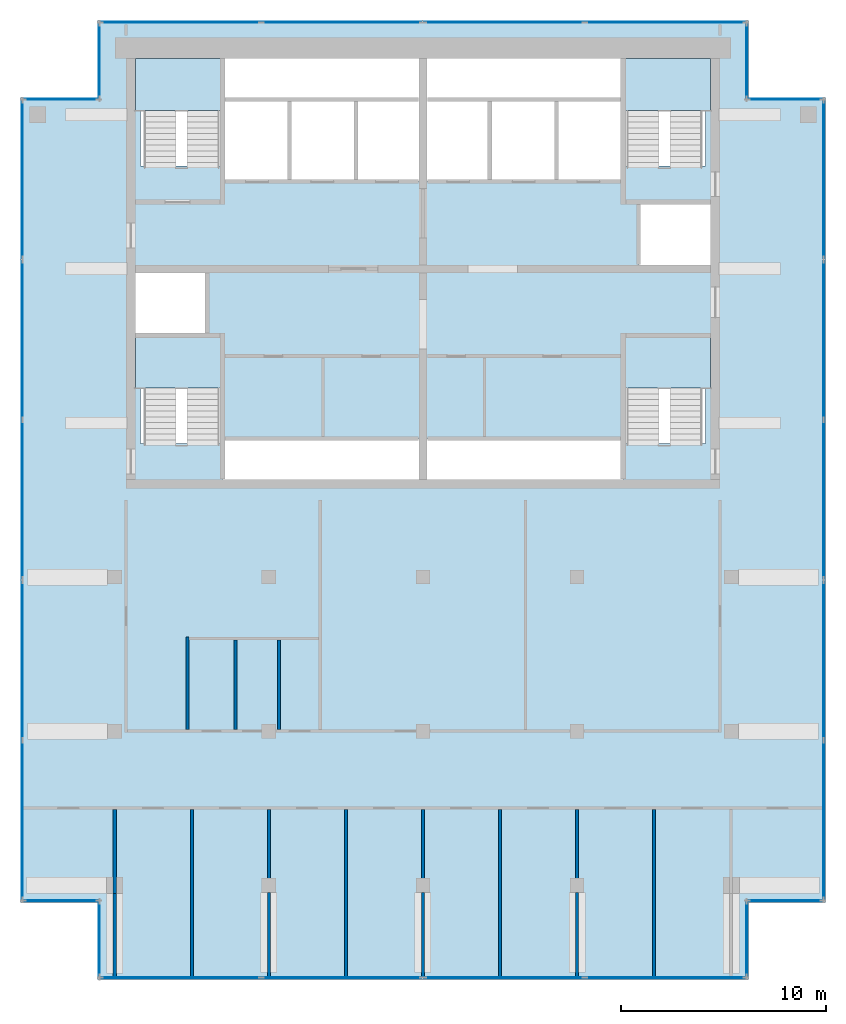
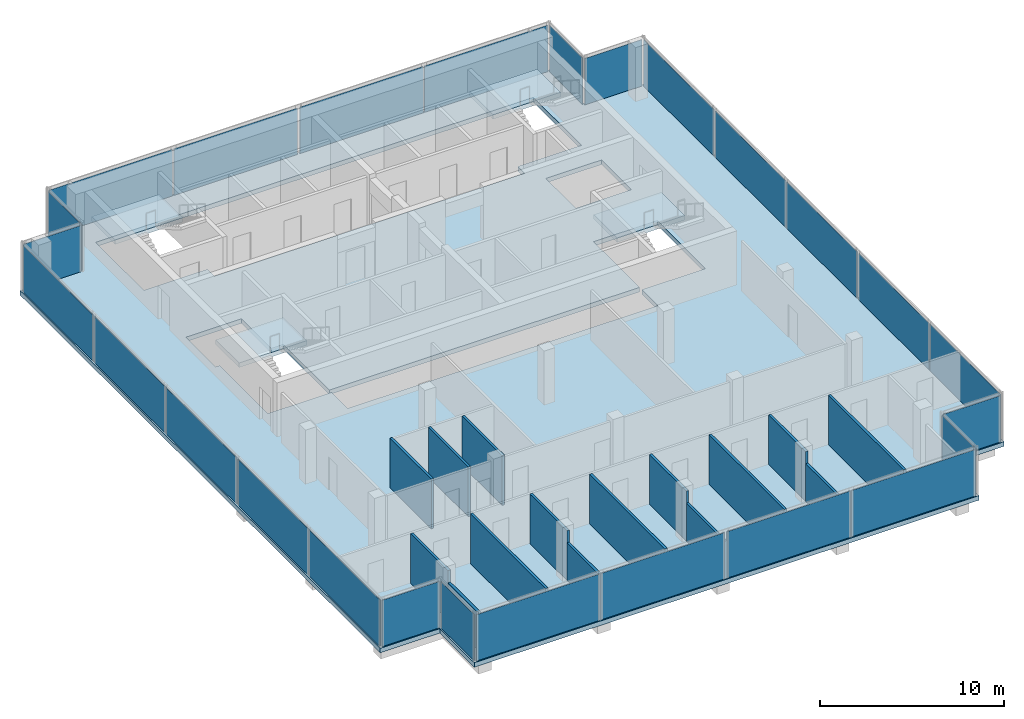
# One storey, part 4 of 8: 26 plates, 15 walls, 5 slabs, 22 elements without a shape of their own.
"""IFC4 building model written with IfcOpenShell, lengths in metres."""

from ifc_helpers import new_model, si_unit, direction, frame, frame_2d, origin, origin_2d, place, context, subcontext, project, spatial, polyline, rectangle, outline, extrude, material, layer, layer_set, type_object, element, aggregate, save


model = new_model("IFC4")

# Units and contexts
model_context = context("Model", 3, precision=1e-05, world=origin(), true_north=direction((0.0, 1.0)))
body_context = subcontext(model_context, "Body", "Model", "MODEL_VIEW")
ifc_project = project(units=[si_unit("LENGTHUNIT", "METRE"), si_unit("AREAUNIT", "SQUARE_METRE"), si_unit("VOLUMEUNIT", "CUBIC_METRE"), si_unit("PLANEANGLEUNIT", "RADIAN"), si_unit("MASSUNIT", "GRAM", prefix="KILO")], contexts=[model_context])

# Site, building, storey
site_placement = place(None, origin())
site = spatial("IfcSite", under=ifc_project, at=site_placement, CompositionType="ELEMENT")
building_placement = place(site_placement, origin())
building = spatial("IfcBuilding", under=site, at=building_placement, Name="Pilkhan Gate Tower", CompositionType="ELEMENT")
storey_placement = place(building_placement, frame((0.0, 0.0, 269.300048828125)))
storey = spatial("IfcBuildingStorey", under=building, at=storey_placement, Name="L70", CompositionType="ELEMENT", Elevation=269.300048828125)

# Slab
ifc_material_1 = material(Name="Concrete C40/50", Category="concrete")
ifc_layer_1 = layer(ifc_material_1, 0.300048828125)
ifc_layer_set_1 = layer_set([ifc_layer_1], Name="Flat plate slab FP300")
slab_type_1 = type_object("IfcSlabType", Name="Flat plate slab FP300", PredefinedType="FLOOR", material=ifc_layer_set_1)
slab_1_placement = place(storey_placement, frame((0.0, 0.0, -0.300048828125)))
element("IfcSlab", 1, at=slab_1_placement, inside=storey, type_object=slab_type_1, Name="Floor slab L70", PredefinedType="FLOOR", context=body_context, shape_type="SweptSolid", body=[
    extrude(outline(polyline([(90.85009765625, 47.89990234375), (59.14990234375, 47.89990234375), (59.14990234375, 51.64990234375), (55.39990234375, 51.64990234375), (55.39990234375, 90.85009765625), (59.14990234375, 90.85009765625), (59.14990234375, 94.60009765625), (90.85009765625, 94.60009765625), (90.85009765625, 90.85009765625), (94.60009765625, 90.85009765625), (94.60009765625, 51.64990234375), (90.85009765625, 51.64990234375), (90.85009765625, 47.89990234375)]), holes=[polyline([(68.5, 86.75), (71.75, 86.75), (75.0, 86.75), (78.25, 86.75), (81.5, 86.75), (84.75, 86.75), (84.75, 87.5), (88.75, 87.5), (88.75, 92.75), (84.75, 92.75), (75.0, 92.75), (65.25, 92.75), (61.25, 92.75), (61.25, 87.5), (65.25, 87.5), (65.25, 86.75), (68.5, 86.75)]), polyline([(84.75, 74.25), (75.0, 74.25), (65.25, 74.25), (65.25, 79.25), (64.5, 79.25), (64.5, 82.5), (61.25, 82.5), (61.0, 82.5), (61.0, 79.25), (61.25, 79.25), (61.25, 74.0), (65.25, 74.0), (65.25, 72.25), (75.0, 72.25), (84.75, 72.25), (84.75, 74.0), (88.75, 74.0), (88.75, 79.25), (84.75, 79.25), (84.75, 74.25)]), polyline([(85.5, 85.75), (85.5, 82.5), (88.75, 82.5), (89.0, 82.5), (89.0, 85.75), (88.75, 85.75), (85.5, 85.75)])]), origin(), (0.0, 0.0, 1.0), 0.300048828125),
])

# Curtain wall, plates
ifc_material_2 = material(Name="Pale anodised aluminium, clear low-iron double glazing", Category="aluminium")
curtain_wall_type = type_object("IfcCurtainWallType", Name="Crown unitised curtain wall CW-C", PredefinedType="USERDEFINED", material=ifc_material_2)
curtain_wall_1_placement = place(storey_placement, origin())
curtain_wall_1 = element("IfcCurtainWall", 2, at=curtain_wall_1_placement, inside=storey, type_object=curtain_wall_type, Name="Crown unitised curtain wall CW-C L70 E", ObjectType="UNITISED CURTAIN WALL", PredefinedType="USERDEFINED")
ifc_material_3 = material(Name="Clear low-iron double glazing", Category="glass")
ifc_layer_2 = layer(ifc_material_3, 0.0439453125)
ifc_layer_set_2 = layer_set([ifc_layer_2], Name="Glass panel CW-C 44")
plate_type = type_object("IfcPlateType", Name="Glass panel CW-C 44", PredefinedType="CURTAIN_PANEL", material=ifc_layer_set_2)
plate_1_placement = place(storey_placement, frame((94.5, 55.668701171875, 0.0), z_axis=(0.0, 0.0, 1.0), x_axis=(0.0, 1.0, 0.0)))
plate_1 = element("IfcPlate", 3, at=plate_1_placement, type_object=plate_type, Name="CW-C panel 1", PredefinedType="CURTAIN_PANEL", context=body_context, shape_type="SweptSolid", body=[
    extrude(rectangle(XDim=7.6875, YDim=0.0439453125, at=origin_2d()), origin(), (0.0, 0.0, 1.0), 3.080078125),
])
plate_2_placement = place(storey_placement, frame((94.5, 63.43115234375, 0.0), z_axis=(0.0, 0.0, 1.0), x_axis=(0.0, 1.0, 0.0)))
plate_2 = element("IfcPlate", 4, at=plate_2_placement, type_object=plate_type, Name="CW-C panel 2", PredefinedType="CURTAIN_PANEL", context=body_context, shape_type="SweptSolid", body=[
    extrude(rectangle(XDim=7.6875, YDim=0.0439453125, at=origin_2d()), origin(), (0.0, 0.0, 1.0), 3.080078125),
])
aggregate(curtain_wall_1, [plate_1, plate_2])

curtain_wall_2_placement = place(storey_placement, origin())
curtain_wall_2 = element("IfcCurtainWall", 5, at=curtain_wall_2_placement, inside=storey, type_object=curtain_wall_type, Name="Crown unitised curtain wall CW-C L70 E", ObjectType="UNITISED CURTAIN WALL", PredefinedType="USERDEFINED")
plate_3_placement = place(storey_placement, frame((94.5, 71.268798828125, 0.0), z_axis=(0.0, 0.0, 1.0), x_axis=(0.0, 1.0, 0.0)))
plate_3 = element("IfcPlate", 6, at=plate_3_placement, type_object=plate_type, Name="CW-C panel 1", PredefinedType="CURTAIN_PANEL", context=body_context, shape_type="SweptSolid", body=[
    extrude(rectangle(XDim=7.6875, YDim=0.0439453125, at=origin_2d()), origin(), (0.0, 0.0, 1.0), 3.080078125),
])
plate_4_placement = place(storey_placement, frame((94.5, 79.03125, 0.0), z_axis=(0.0, 0.0, 1.0), x_axis=(0.0, 1.0, 0.0)))
plate_4 = element("IfcPlate", 7, at=plate_4_placement, type_object=plate_type, Name="CW-C panel 2", PredefinedType="CURTAIN_PANEL", context=body_context, shape_type="SweptSolid", body=[
    extrude(rectangle(XDim=7.6875, YDim=0.0439453125, at=origin_2d()), origin(), (0.0, 0.0, 1.0), 3.080078125),
])
aggregate(curtain_wall_2, [plate_3, plate_4])

# Curtain wall, plate
curtain_wall_3_placement = place(storey_placement, origin())
curtain_wall_3 = element("IfcCurtainWall", 8, at=curtain_wall_3_placement, inside=storey, type_object=curtain_wall_type, Name="Crown unitised curtain wall CW-C L70 E", ObjectType="UNITISED CURTAIN WALL", PredefinedType="USERDEFINED")
plate_5_placement = place(storey_placement, frame((94.5, 86.85009765625, 0.0), z_axis=(0.0, 0.0, 1.0), x_axis=(0.0, 1.0, 0.0)))
plate_5 = element("IfcPlate", 9, at=plate_5_placement, type_object=plate_type, Name="CW-C panel 1", PredefinedType="CURTAIN_PANEL", context=body_context, shape_type="SweptSolid", body=[
    extrude(rectangle(XDim=7.64990234375, YDim=0.0439453125, at=origin_2d()), origin(), (0.0, 0.0, 1.0), 3.080078125),
])
aggregate(curtain_wall_3, [plate_5])

curtain_wall_4_placement = place(storey_placement, origin())
curtain_wall_4 = element("IfcCurtainWall", 10, at=curtain_wall_4_placement, inside=storey, type_object=curtain_wall_type, Name="Crown unitised curtain wall CW-C L70 N", ObjectType="UNITISED CURTAIN WALL", PredefinedType="USERDEFINED")
plate_6_placement = place(storey_placement, frame((92.625, 90.75, 0.0), z_axis=(0.0, 0.0, 1.0), x_axis=(1.0, 0.0, 0.0)))
plate_6 = element("IfcPlate", 11, at=plate_6_placement, type_object=plate_type, Name="CW-C panel 1", PredefinedType="CURTAIN_PANEL", context=body_context, shape_type="SweptSolid", body=[
    extrude(rectangle(XDim=3.60009765625, YDim=0.0439453125, at=origin_2d()), origin(), (0.0, 0.0, 1.0), 3.080078125),
])
aggregate(curtain_wall_4, [plate_6])

curtain_wall_5_placement = place(storey_placement, origin())
curtain_wall_5 = element("IfcCurtainWall", 12, at=curtain_wall_5_placement, inside=storey, type_object=curtain_wall_type, Name="Crown unitised curtain wall CW-C L70 E", ObjectType="UNITISED CURTAIN WALL", PredefinedType="USERDEFINED")
plate_7_placement = place(storey_placement, frame((90.75, 92.625, 0.0), z_axis=(0.0, 0.0, 1.0), x_axis=(0.0, 1.0, 0.0)))
plate_7 = element("IfcPlate", 13, at=plate_7_placement, type_object=plate_type, Name="CW-C panel 1", PredefinedType="CURTAIN_PANEL", context=body_context, shape_type="SweptSolid", body=[
    extrude(rectangle(XDim=3.60009765625, YDim=0.0439453125, at=origin_2d()), origin(), (0.0, 0.0, 1.0), 3.080078125),
])
aggregate(curtain_wall_5, [plate_7])

# Curtain wall, plates
curtain_wall_6_placement = place(storey_placement, origin())
curtain_wall_6 = element("IfcCurtainWall", 14, at=curtain_wall_6_placement, inside=storey, type_object=curtain_wall_type, Name="Crown unitised curtain wall CW-C L70 N", ObjectType="UNITISED CURTAIN WALL", PredefinedType="USERDEFINED")
plate_8_placement = place(storey_placement, frame((63.206298828125, 94.5, 0.0), z_axis=(0.0, 0.0, 1.0), x_axis=(1.0, 0.0, 0.0)))
plate_8 = element("IfcPlate", 15, at=plate_8_placement, type_object=plate_type, Name="CW-C panel 1", PredefinedType="CURTAIN_PANEL", context=body_context, shape_type="SweptSolid", body=[
    extrude(rectangle(XDim=7.762451171875, YDim=0.0439453125, at=origin_2d()), origin(), (0.0, 0.0, 1.0), 3.080078125),
])
plate_9_placement = place(storey_placement, frame((71.043701171875, 94.5, 0.0), z_axis=(0.0, 0.0, 1.0), x_axis=(1.0, 0.0, 0.0)))
plate_9 = element("IfcPlate", 16, at=plate_9_placement, type_object=plate_type, Name="CW-C panel 2", PredefinedType="CURTAIN_PANEL", context=body_context, shape_type="SweptSolid", body=[
    extrude(rectangle(XDim=7.762451171875, YDim=0.0439453125, at=origin_2d()), origin(), (0.0, 0.0, 1.0), 3.080078125),
])
aggregate(curtain_wall_6, [plate_8, plate_9])

curtain_wall_7_placement = place(storey_placement, origin())
curtain_wall_7 = element("IfcCurtainWall", 17, at=curtain_wall_7_placement, inside=storey, type_object=curtain_wall_type, Name="Crown unitised curtain wall CW-C L70 N", ObjectType="UNITISED CURTAIN WALL", PredefinedType="USERDEFINED")
plate_10_placement = place(storey_placement, frame((78.956298828125, 94.5, 0.0), z_axis=(0.0, 0.0, 1.0), x_axis=(1.0, 0.0, 0.0)))
plate_10 = element("IfcPlate", 18, at=plate_10_placement, type_object=plate_type, Name="CW-C panel 1", PredefinedType="CURTAIN_PANEL", context=body_context, shape_type="SweptSolid", body=[
    extrude(rectangle(XDim=7.762451171875, YDim=0.0439453125, at=origin_2d()), origin(), (0.0, 0.0, 1.0), 3.080078125),
])
plate_11_placement = place(storey_placement, frame((86.793701171875, 94.5, 0.0), z_axis=(0.0, 0.0, 1.0), x_axis=(1.0, 0.0, 0.0)))
plate_11 = element("IfcPlate", 19, at=plate_11_placement, type_object=plate_type, Name="CW-C panel 2", PredefinedType="CURTAIN_PANEL", context=body_context, shape_type="SweptSolid", body=[
    extrude(rectangle(XDim=7.762451171875, YDim=0.0439453125, at=origin_2d()), origin(), (0.0, 0.0, 1.0), 3.080078125),
])
aggregate(curtain_wall_7, [plate_10, plate_11])

# Curtain wall, plate
curtain_wall_8_placement = place(storey_placement, origin())
curtain_wall_8 = element("IfcCurtainWall", 20, at=curtain_wall_8_placement, inside=storey, type_object=curtain_wall_type, Name="Crown unitised curtain wall CW-C L70 W", ObjectType="UNITISED CURTAIN WALL", PredefinedType="USERDEFINED")
plate_12_placement = place(storey_placement, frame((59.25, 92.625, 0.0), z_axis=(0.0, 0.0, 1.0), x_axis=(0.0, 1.0, 0.0)))
plate_12 = element("IfcPlate", 21, at=plate_12_placement, type_object=plate_type, Name="CW-C panel 1", PredefinedType="CURTAIN_PANEL", context=body_context, shape_type="SweptSolid", body=[
    extrude(rectangle(XDim=3.60009765625, YDim=0.0439453125, at=origin_2d()), origin(), (0.0, 0.0, 1.0), 3.080078125),
])
aggregate(curtain_wall_8, [plate_12])

curtain_wall_9_placement = place(storey_placement, origin())
curtain_wall_9 = element("IfcCurtainWall", 22, at=curtain_wall_9_placement, inside=storey, type_object=curtain_wall_type, Name="Crown unitised curtain wall CW-C L70 N", ObjectType="UNITISED CURTAIN WALL", PredefinedType="USERDEFINED")
plate_13_placement = place(storey_placement, frame((57.375, 90.75, 0.0), z_axis=(0.0, 0.0, 1.0), x_axis=(1.0, 0.0, 0.0)))
plate_13 = element("IfcPlate", 23, at=plate_13_placement, type_object=plate_type, Name="CW-C panel 1", PredefinedType="CURTAIN_PANEL", context=body_context, shape_type="SweptSolid", body=[
    extrude(rectangle(XDim=3.60009765625, YDim=0.0439453125, at=origin_2d()), origin(), (0.0, 0.0, 1.0), 3.080078125),
])
aggregate(curtain_wall_9, [plate_13])

# Curtain wall, plates
curtain_wall_10_placement = place(storey_placement, origin())
curtain_wall_10 = element("IfcCurtainWall", 24, at=curtain_wall_10_placement, inside=storey, type_object=curtain_wall_type, Name="Crown unitised curtain wall CW-C L70 W", ObjectType="UNITISED CURTAIN WALL", PredefinedType="USERDEFINED")
plate_14_placement = place(storey_placement, frame((55.5, 55.668701171875, 0.0), z_axis=(0.0, 0.0, 1.0), x_axis=(0.0, 1.0, 0.0)))
plate_14 = element("IfcPlate", 25, at=plate_14_placement, type_object=plate_type, Name="CW-C panel 1", PredefinedType="CURTAIN_PANEL", context=body_context, shape_type="SweptSolid", body=[
    extrude(rectangle(XDim=7.6875, YDim=0.0439453125, at=origin_2d()), origin(), (0.0, 0.0, 1.0), 3.080078125),
])
plate_15_placement = place(storey_placement, frame((55.5, 63.43115234375, 0.0), z_axis=(0.0, 0.0, 1.0), x_axis=(0.0, 1.0, 0.0)))
plate_15 = element("IfcPlate", 26, at=plate_15_placement, type_object=plate_type, Name="CW-C panel 2", PredefinedType="CURTAIN_PANEL", context=body_context, shape_type="SweptSolid", body=[
    extrude(rectangle(XDim=7.6875, YDim=0.0439453125, at=origin_2d()), origin(), (0.0, 0.0, 1.0), 3.080078125),
])
aggregate(curtain_wall_10, [plate_14, plate_15])

curtain_wall_11_placement = place(storey_placement, origin())
curtain_wall_11 = element("IfcCurtainWall", 27, at=curtain_wall_11_placement, inside=storey, type_object=curtain_wall_type, Name="Crown unitised curtain wall CW-C L70 W", ObjectType="UNITISED CURTAIN WALL", PredefinedType="USERDEFINED")
plate_16_placement = place(storey_placement, frame((55.5, 71.268798828125, 0.0), z_axis=(0.0, 0.0, 1.0), x_axis=(0.0, 1.0, 0.0)))
plate_16 = element("IfcPlate", 28, at=plate_16_placement, type_object=plate_type, Name="CW-C panel 1", PredefinedType="CURTAIN_PANEL", context=body_context, shape_type="SweptSolid", body=[
    extrude(rectangle(XDim=7.6875, YDim=0.0439453125, at=origin_2d()), origin(), (0.0, 0.0, 1.0), 3.080078125),
])
plate_17_placement = place(storey_placement, frame((55.5, 79.03125, 0.0), z_axis=(0.0, 0.0, 1.0), x_axis=(0.0, 1.0, 0.0)))
plate_17 = element("IfcPlate", 29, at=plate_17_placement, type_object=plate_type, Name="CW-C panel 2", PredefinedType="CURTAIN_PANEL", context=body_context, shape_type="SweptSolid", body=[
    extrude(rectangle(XDim=7.6875, YDim=0.0439453125, at=origin_2d()), origin(), (0.0, 0.0, 1.0), 3.080078125),
])
aggregate(curtain_wall_11, [plate_16, plate_17])

# Curtain wall, plate
curtain_wall_12_placement = place(storey_placement, origin())
curtain_wall_12 = element("IfcCurtainWall", 30, at=curtain_wall_12_placement, inside=storey, type_object=curtain_wall_type, Name="Crown unitised curtain wall CW-C L70 W", ObjectType="UNITISED CURTAIN WALL", PredefinedType="USERDEFINED")
plate_18_placement = place(storey_placement, frame((55.5, 86.85009765625, 0.0), z_axis=(0.0, 0.0, 1.0), x_axis=(0.0, 1.0, 0.0)))
plate_18 = element("IfcPlate", 31, at=plate_18_placement, type_object=plate_type, Name="CW-C panel 1", PredefinedType="CURTAIN_PANEL", context=body_context, shape_type="SweptSolid", body=[
    extrude(rectangle(XDim=7.64990234375, YDim=0.0439453125, at=origin_2d()), origin(), (0.0, 0.0, 1.0), 3.080078125),
])
aggregate(curtain_wall_12, [plate_18])

curtain_wall_13_placement = place(storey_placement, origin())
curtain_wall_13 = element("IfcCurtainWall", 32, at=curtain_wall_13_placement, inside=storey, type_object=curtain_wall_type, Name="Crown unitised curtain wall CW-C L70 S", ObjectType="UNITISED CURTAIN WALL", PredefinedType="USERDEFINED")
plate_19_placement = place(storey_placement, frame((57.375, 51.75, 0.0), z_axis=(0.0, 0.0, 1.0), x_axis=(1.0, 0.0, 0.0)))
plate_19 = element("IfcPlate", 33, at=plate_19_placement, type_object=plate_type, Name="CW-C panel 1", PredefinedType="CURTAIN_PANEL", context=body_context, shape_type="SweptSolid", body=[
    extrude(rectangle(XDim=3.60009765625, YDim=0.0439453125, at=origin_2d()), origin(), (0.0, 0.0, 1.0), 3.080078125),
])
aggregate(curtain_wall_13, [plate_19])

curtain_wall_14_placement = place(storey_placement, origin())
curtain_wall_14 = element("IfcCurtainWall", 34, at=curtain_wall_14_placement, inside=storey, type_object=curtain_wall_type, Name="Crown unitised curtain wall CW-C L70 W", ObjectType="UNITISED CURTAIN WALL", PredefinedType="USERDEFINED")
plate_20_placement = place(storey_placement, frame((59.25, 49.875, 0.0), z_axis=(0.0, 0.0, 1.0), x_axis=(0.0, 1.0, 0.0)))
plate_20 = element("IfcPlate", 35, at=plate_20_placement, type_object=plate_type, Name="CW-C panel 1", PredefinedType="CURTAIN_PANEL", context=body_context, shape_type="SweptSolid", body=[
    extrude(rectangle(XDim=3.60009765625, YDim=0.0439453125, at=origin_2d()), origin(), (0.0, 0.0, 1.0), 3.080078125),
])
aggregate(curtain_wall_14, [plate_20])

# Curtain wall, plates
curtain_wall_15_placement = place(storey_placement, origin())
curtain_wall_15 = element("IfcCurtainWall", 36, at=curtain_wall_15_placement, inside=storey, type_object=curtain_wall_type, Name="Crown unitised curtain wall CW-C L70 S", ObjectType="UNITISED CURTAIN WALL", PredefinedType="USERDEFINED")
plate_21_placement = place(storey_placement, frame((63.206298828125, 48.0, 0.0), z_axis=(0.0, 0.0, 1.0), x_axis=(1.0, 0.0, 0.0)))
plate_21 = element("IfcPlate", 37, at=plate_21_placement, type_object=plate_type, Name="CW-C panel 1", PredefinedType="CURTAIN_PANEL", context=body_context, shape_type="SweptSolid", body=[
    extrude(rectangle(XDim=7.762451171875, YDim=0.0439453125, at=origin_2d()), origin(), (0.0, 0.0, 1.0), 3.080078125),
])
plate_22_placement = place(storey_placement, frame((71.043701171875, 48.0, 0.0), z_axis=(0.0, 0.0, 1.0), x_axis=(1.0, 0.0, 0.0)))
plate_22 = element("IfcPlate", 38, at=plate_22_placement, type_object=plate_type, Name="CW-C panel 2", PredefinedType="CURTAIN_PANEL", context=body_context, shape_type="SweptSolid", body=[
    extrude(rectangle(XDim=7.762451171875, YDim=0.0439453125, at=origin_2d()), origin(), (0.0, 0.0, 1.0), 3.080078125),
])
aggregate(curtain_wall_15, [plate_21, plate_22])

curtain_wall_16_placement = place(storey_placement, origin())
curtain_wall_16 = element("IfcCurtainWall", 39, at=curtain_wall_16_placement, inside=storey, type_object=curtain_wall_type, Name="Crown unitised curtain wall CW-C L70 S", ObjectType="UNITISED CURTAIN WALL", PredefinedType="USERDEFINED")
plate_23_placement = place(storey_placement, frame((78.956298828125, 48.0, 0.0), z_axis=(0.0, 0.0, 1.0), x_axis=(1.0, 0.0, 0.0)))
plate_23 = element("IfcPlate", 40, at=plate_23_placement, type_object=plate_type, Name="CW-C panel 1", PredefinedType="CURTAIN_PANEL", context=body_context, shape_type="SweptSolid", body=[
    extrude(rectangle(XDim=7.762451171875, YDim=0.0439453125, at=origin_2d()), origin(), (0.0, 0.0, 1.0), 3.080078125),
])
plate_24_placement = place(storey_placement, frame((86.793701171875, 48.0, 0.0), z_axis=(0.0, 0.0, 1.0), x_axis=(1.0, 0.0, 0.0)))
plate_24 = element("IfcPlate", 41, at=plate_24_placement, type_object=plate_type, Name="CW-C panel 2", PredefinedType="CURTAIN_PANEL", context=body_context, shape_type="SweptSolid", body=[
    extrude(rectangle(XDim=7.762451171875, YDim=0.0439453125, at=origin_2d()), origin(), (0.0, 0.0, 1.0), 3.080078125),
])
aggregate(curtain_wall_16, [plate_23, plate_24])

# Curtain wall, plate
curtain_wall_17_placement = place(storey_placement, origin())
curtain_wall_17 = element("IfcCurtainWall", 42, at=curtain_wall_17_placement, inside=storey, type_object=curtain_wall_type, Name="Crown unitised curtain wall CW-C L70 E", ObjectType="UNITISED CURTAIN WALL", PredefinedType="USERDEFINED")
plate_25_placement = place(storey_placement, frame((90.75, 49.875, 0.0), z_axis=(0.0, 0.0, 1.0), x_axis=(0.0, 1.0, 0.0)))
plate_25 = element("IfcPlate", 43, at=plate_25_placement, type_object=plate_type, Name="CW-C panel 1", PredefinedType="CURTAIN_PANEL", context=body_context, shape_type="SweptSolid", body=[
    extrude(rectangle(XDim=3.60009765625, YDim=0.0439453125, at=origin_2d()), origin(), (0.0, 0.0, 1.0), 3.080078125),
])
aggregate(curtain_wall_17, [plate_25])

curtain_wall_18_placement = place(storey_placement, origin())
curtain_wall_18 = element("IfcCurtainWall", 44, at=curtain_wall_18_placement, inside=storey, type_object=curtain_wall_type, Name="Crown unitised curtain wall CW-C L70 S", ObjectType="UNITISED CURTAIN WALL", PredefinedType="USERDEFINED")
plate_26_placement = place(storey_placement, frame((92.625, 51.75, 0.0), z_axis=(0.0, 0.0, 1.0), x_axis=(1.0, 0.0, 0.0)))
plate_26 = element("IfcPlate", 45, at=plate_26_placement, type_object=plate_type, Name="CW-C panel 1", PredefinedType="CURTAIN_PANEL", context=body_context, shape_type="SweptSolid", body=[
    extrude(rectangle(XDim=3.60009765625, YDim=0.0439453125, at=origin_2d()), origin(), (0.0, 0.0, 1.0), 3.080078125),
])
aggregate(curtain_wall_18, [plate_26])

# Stair, slab
ifc_material_4 = material(Name="Concrete C40/50 precast", Category="concrete")
stair_type_1 = type_object("IfcStairType", Name="Stair ST1 164x280", PredefinedType="HALF_TURN_STAIR", material=ifc_material_4)
stair_1_placement = place(storey_placement, origin())
stair_1 = element("IfcStair", 46, at=stair_1_placement, inside=storey, type_object=stair_type_1, Name="Stair ST1 L70", PredefinedType="HALF_TURN_STAIR")
ifc_layer_3 = layer(ifc_material_1, 0.199951171875)
ifc_layer_set_3 = layer_set([ifc_layer_3], Name="Stair landing SL200")
slab_type_2 = type_object("IfcSlabType", Name="Stair landing SL200", PredefinedType="LANDING", material=ifc_layer_set_3)
slab_2_placement = place(storey_placement, frame((0.0, 0.0, 1.5)))
slab_2 = element("IfcSlab", 47, at=slab_2_placement, type_object=slab_type_2, Name="ST1 landing 1", PredefinedType="LANDING", context=body_context, shape_type="SweptSolid", body=[
    extrude(outline(polyline([(89.0, 76.699951171875), (89.0, 79.25), (84.75, 79.25), (84.75, 76.699951171875), (89.0, 76.699951171875)])), origin(), (0.0, 0.0, 1.0), 0.300048828125),
])
aggregate(stair_1, [slab_2])

stair_type_2 = type_object("IfcStairType", Name="Stair ST2 164x280", PredefinedType="HALF_TURN_STAIR", material=ifc_material_4)
stair_2_placement = place(storey_placement, origin())
stair_2 = element("IfcStair", 48, at=stair_2_placement, inside=storey, type_object=stair_type_2, Name="Stair ST2 L70", PredefinedType="HALF_TURN_STAIR")
slab_3_placement = place(storey_placement, frame((0.0, 0.0, 1.5)))
slab_3 = element("IfcSlab", 49, at=slab_3_placement, type_object=slab_type_2, Name="ST2 landing 1", PredefinedType="LANDING", context=body_context, shape_type="SweptSolid", body=[
    extrude(outline(polyline([(65.25, 76.699951171875), (65.25, 79.25), (61.0, 79.25), (61.0, 76.699951171875), (65.25, 76.699951171875)])), origin(), (0.0, 0.0, 1.0), 0.300048828125),
])
aggregate(stair_2, [slab_3])

stair_type_3 = type_object("IfcStairType", Name="Stair ST3 164x280", PredefinedType="HALF_TURN_STAIR", material=ifc_material_4)
stair_3_placement = place(storey_placement, origin())
stair_3 = element("IfcStair", 50, at=stair_3_placement, inside=storey, type_object=stair_type_3, Name="Stair ST3 L70", PredefinedType="HALF_TURN_STAIR")
slab_4_placement = place(storey_placement, frame((0.0, 0.0, 1.5)))
slab_4 = element("IfcSlab", 51, at=slab_4_placement, type_object=slab_type_2, Name="ST3 landing 1", PredefinedType="LANDING", context=body_context, shape_type="SweptSolid", body=[
    extrude(outline(polyline([(65.25, 90.199951171875), (65.25, 92.75), (61.0, 92.75), (61.0, 90.199951171875), (65.25, 90.199951171875)])), origin(), (0.0, 0.0, 1.0), 0.300048828125),
])
aggregate(stair_3, [slab_4])

stair_type_4 = type_object("IfcStairType", Name="Stair ST4 164x280", PredefinedType="HALF_TURN_STAIR", material=ifc_material_4)
stair_4_placement = place(storey_placement, origin())
stair_4 = element("IfcStair", 52, at=stair_4_placement, inside=storey, type_object=stair_type_4, Name="Stair ST4 L70", PredefinedType="HALF_TURN_STAIR")
slab_5_placement = place(storey_placement, frame((0.0, 0.0, 1.5)))
slab_5 = element("IfcSlab", 53, at=slab_5_placement, type_object=slab_type_2, Name="ST4 landing 1", PredefinedType="LANDING", context=body_context, shape_type="SweptSolid", body=[
    extrude(outline(polyline([(89.0, 90.199951171875), (89.0, 92.75), (84.75, 92.75), (84.75, 90.199951171875), (89.0, 90.199951171875)])), origin(), (0.0, 0.0, 1.0), 0.300048828125),
])
aggregate(stair_4, [slab_5])

# Walls
ifc_material_5 = material(Name="Blockwork partition, plastered both sides", Category="masonry")
ifc_layer_4 = layer(ifc_material_5, 0.14990234375)
ifc_layer_set_4 = layer_set([ifc_layer_4], Name="Partition PW150")
wall_type = type_object("IfcWallType", Name="Partition PW150", PredefinedType="PARTITIONING", material=ifc_layer_set_4)
wall_1_placement = place(storey_placement, frame((60.0, 47.985107421875, 0.0), z_axis=(0.0, 0.0, 1.0), x_axis=(0.0, 1.0, 0.0)))
element("IfcWall", 54, at=wall_1_placement, inside=storey, type_object=wall_type, Name="Partition L70", PredefinedType="PARTITIONING", context=body_context, shape_type="SweptSolid", body=[
    extrude(rectangle(XDim=4.115966796875, YDim=0.14990234375, at=frame_2d((2.05810546875, 0.0))), origin(), (0.0, 0.0, 1.0), 2.5),
])
wall_2_placement = place(storey_placement, frame((60.0, 52.10107421875, 0.0), z_axis=(0.0, 0.0, 1.0), x_axis=(0.0, 1.0, 0.0)))
element("IfcWall", 55, at=wall_2_placement, inside=storey, type_object=wall_type, Name="Partition L70", PredefinedType="PARTITIONING", context=body_context, shape_type="SweptSolid", body=[
    extrude(rectangle(XDim=4.073974609375, YDim=0.14990234375, at=frame_2d((2.037109375, 0.0))), origin(), (0.0, 0.0, 1.0), 3.300048828125),
])
wall_3_placement = place(storey_placement, frame((63.550048828125, 60.074951171875, 0.0), z_axis=(0.0, 0.0, 1.0), x_axis=(0.0, 1.0, 0.0)))
element("IfcWall", 56, at=wall_3_placement, inside=storey, type_object=wall_type, Name="Partition L70", PredefinedType="PARTITIONING", context=body_context, shape_type="SweptSolid", body=[
    extrude(rectangle(XDim=4.5, YDim=0.14990234375, at=frame_2d((2.25, 0.0))), origin(), (0.0, 0.0, 1.0), 3.300048828125),
])
wall_4_placement = place(storey_placement, frame((63.75, 47.985107421875, 0.0), z_axis=(0.0, 0.0, 1.0), x_axis=(0.0, 1.0, 0.0)))
element("IfcWall", 57, at=wall_4_placement, inside=storey, type_object=wall_type, Name="Partition L70", PredefinedType="PARTITIONING", context=body_context, shape_type="SweptSolid", body=[
    extrude(rectangle(XDim=8.18994140625, YDim=0.14990234375, at=frame_2d((4.094970703125, 0.0))), origin(), (0.0, 0.0, 1.0), 3.300048828125),
])
wall_5_placement = place(storey_placement, frame((65.8720703125, 60.074951171875, 0.0), z_axis=(0.0, 0.0, 1.0), x_axis=(0.0, 1.0, 0.0)))
element("IfcWall", 58, at=wall_5_placement, inside=storey, type_object=wall_type, Name="Partition L70", PredefinedType="PARTITIONING", context=body_context, shape_type="SweptSolid", body=[
    extrude(rectangle(XDim=4.35009765625, YDim=0.14990234375, at=frame_2d((2.175048828125, 0.0))), origin(), (0.0, 0.0, 1.0), 3.300048828125),
])
wall_6_placement = place(storey_placement, frame((67.5, 47.985107421875, 0.0), z_axis=(0.0, 0.0, 1.0), x_axis=(0.0, 1.0, 0.0)))
element("IfcWall", 59, at=wall_6_placement, inside=storey, type_object=wall_type, Name="Partition L70", PredefinedType="PARTITIONING", context=body_context, shape_type="SweptSolid", body=[
    extrude(rectangle(XDim=4.164794921875, YDim=0.14990234375, at=frame_2d((2.08251953125, 0.0))), origin(), (0.0, 0.0, 1.0), 2.5),
])
wall_7_placement = place(storey_placement, frame((67.5, 52.14990234375, 0.0), z_axis=(0.0, 0.0, 1.0), x_axis=(0.0, 1.0, 0.0)))
element("IfcWall", 60, at=wall_7_placement, inside=storey, type_object=wall_type, Name="Partition L70", PredefinedType="PARTITIONING", context=body_context, shape_type="SweptSolid", body=[
    extrude(rectangle(XDim=4.025146484375, YDim=0.14990234375, at=frame_2d((2.0126953125, 0.0))), origin(), (0.0, 0.0, 1.0), 3.300048828125),
])
wall_8_placement = place(storey_placement, frame((68.0, 60.074951171875, 0.0), z_axis=(0.0, 0.0, 1.0), x_axis=(0.0, 1.0, 0.0)))
element("IfcWall", 61, at=wall_8_placement, inside=storey, type_object=wall_type, Name="Partition L70", PredefinedType="PARTITIONING", context=body_context, shape_type="SweptSolid", body=[
    extrude(rectangle(XDim=4.35009765625, YDim=0.14990234375, at=frame_2d((2.175048828125, 0.0))), origin(), (0.0, 0.0, 1.0), 3.300048828125),
])
wall_9_placement = place(storey_placement, frame((71.25, 47.985107421875, 0.0), z_axis=(0.0, 0.0, 1.0), x_axis=(0.0, 1.0, 0.0)))
element("IfcWall", 62, at=wall_9_placement, inside=storey, type_object=wall_type, Name="Partition L70", PredefinedType="PARTITIONING", context=body_context, shape_type="SweptSolid", body=[
    extrude(rectangle(XDim=8.18994140625, YDim=0.14990234375, at=frame_2d((4.094970703125, 0.0))), origin(), (0.0, 0.0, 1.0), 3.300048828125),
])
wall_10_placement = place(storey_placement, frame((75.0, 47.985107421875, 0.0), z_axis=(0.0, 0.0, 1.0), x_axis=(0.0, 1.0, 0.0)))
element("IfcWall", 63, at=wall_10_placement, inside=storey, type_object=wall_type, Name="Partition L70", PredefinedType="PARTITIONING", context=body_context, shape_type="SweptSolid", body=[
    extrude(rectangle(XDim=4.164794921875, YDim=0.14990234375, at=frame_2d((2.08251953125, 0.0))), origin(), (0.0, 0.0, 1.0), 2.5),
])
wall_11_placement = place(storey_placement, frame((75.0, 52.14990234375, 0.0), z_axis=(0.0, 0.0, 1.0), x_axis=(0.0, 1.0, 0.0)))
element("IfcWall", 64, at=wall_11_placement, inside=storey, type_object=wall_type, Name="Partition L70", PredefinedType="PARTITIONING", context=body_context, shape_type="SweptSolid", body=[
    extrude(rectangle(XDim=4.025146484375, YDim=0.14990234375, at=frame_2d((2.0126953125, 0.0))), origin(), (0.0, 0.0, 1.0), 3.300048828125),
])
wall_12_placement = place(storey_placement, frame((78.75, 47.985107421875, 0.0), z_axis=(0.0, 0.0, 1.0), x_axis=(0.0, 1.0, 0.0)))
element("IfcWall", 65, at=wall_12_placement, inside=storey, type_object=wall_type, Name="Partition L70", PredefinedType="PARTITIONING", context=body_context, shape_type="SweptSolid", body=[
    extrude(rectangle(XDim=8.18994140625, YDim=0.14990234375, at=frame_2d((4.094970703125, 0.0))), origin(), (0.0, 0.0, 1.0), 3.300048828125),
])
wall_13_placement = place(storey_placement, frame((82.5, 47.985107421875, 0.0), z_axis=(0.0, 0.0, 1.0), x_axis=(0.0, 1.0, 0.0)))
element("IfcWall", 66, at=wall_13_placement, inside=storey, type_object=wall_type, Name="Partition L70", PredefinedType="PARTITIONING", context=body_context, shape_type="SweptSolid", body=[
    extrude(rectangle(XDim=4.164794921875, YDim=0.14990234375, at=frame_2d((2.08251953125, 0.0))), origin(), (0.0, 0.0, 1.0), 2.5),
])
wall_14_placement = place(storey_placement, frame((82.5, 52.14990234375, 0.0), z_axis=(0.0, 0.0, 1.0), x_axis=(0.0, 1.0, 0.0)))
element("IfcWall", 67, at=wall_14_placement, inside=storey, type_object=wall_type, Name="Partition L70", PredefinedType="PARTITIONING", context=body_context, shape_type="SweptSolid", body=[
    extrude(rectangle(XDim=4.025146484375, YDim=0.14990234375, at=frame_2d((2.0126953125, 0.0))), origin(), (0.0, 0.0, 1.0), 3.300048828125),
])
wall_15_placement = place(storey_placement, frame((86.25, 47.985107421875, 0.0), z_axis=(0.0, 0.0, 1.0), x_axis=(0.0, 1.0, 0.0)))
element("IfcWall", 68, at=wall_15_placement, inside=storey, type_object=wall_type, Name="Partition L70", PredefinedType="PARTITIONING", context=body_context, shape_type="SweptSolid", body=[
    extrude(rectangle(XDim=8.18994140625, YDim=0.14990234375, at=frame_2d((4.094970703125, 0.0))), origin(), (0.0, 0.0, 1.0), 3.300048828125),
])

save(model, "model.ifc")
